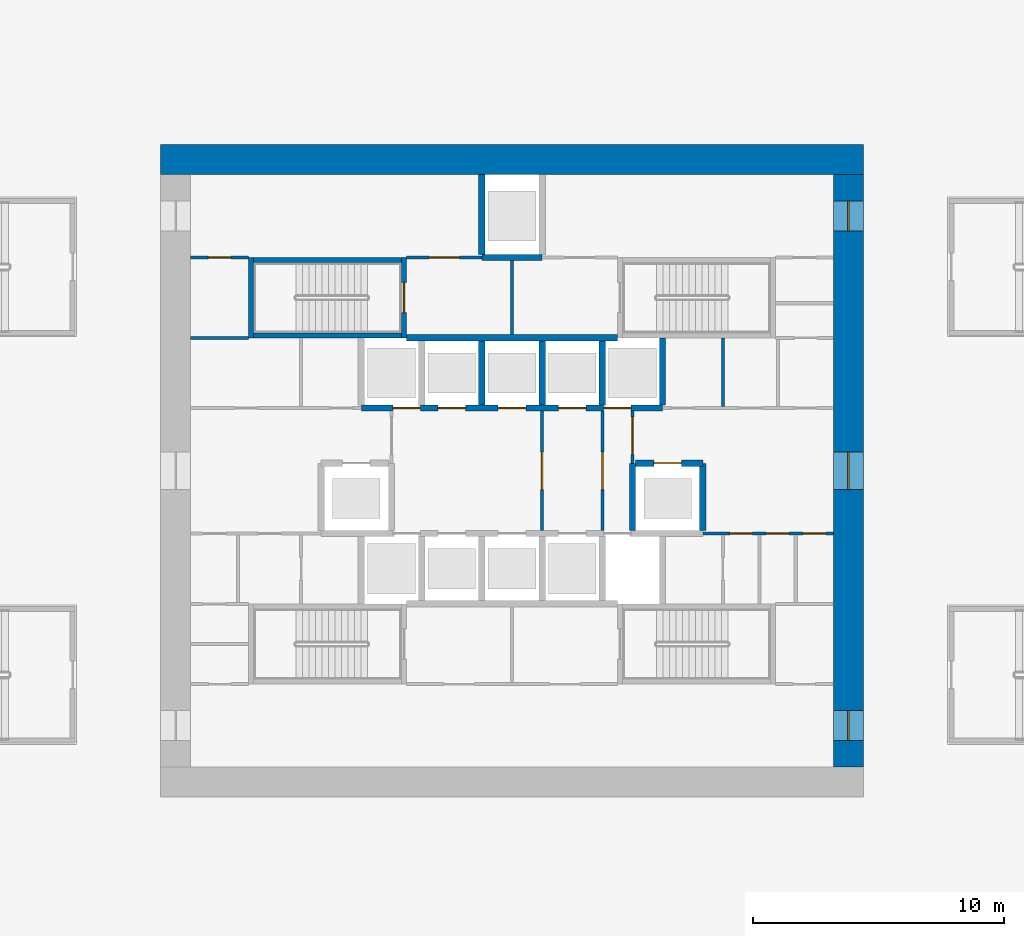
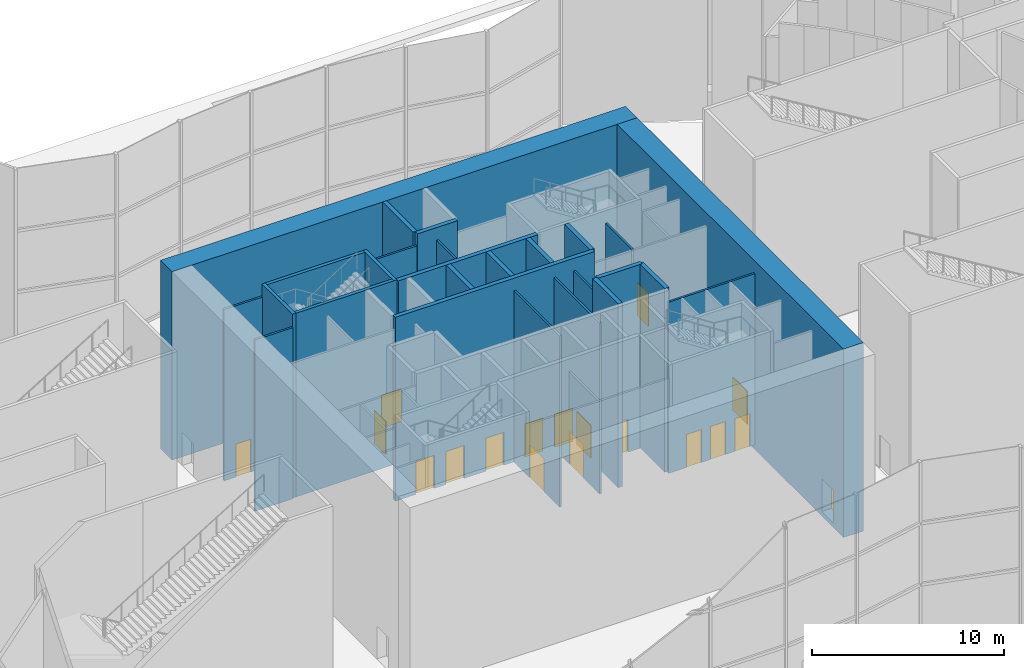
# One storey, part 11 of 25: 26 walls, 18 doors, 18 openings.
"""IFC4 building model written with IfcOpenShell, lengths in metres."""

from ifc_helpers import new_model, si_unit, direction, frame, frame_2d, origin, place, context, subcontext, project, spatial, rectangle, extrude, source, transform, mapped, material, layer, layer_set, type_object, element, fill, save


model = new_model("IFC4")

# Units and contexts
model_context = context("Model", 3, precision=1e-05, world=origin(), true_north=direction((0.0, 1.0)))
body_context = subcontext(model_context, "Body", "Model", "MODEL_VIEW")
ifc_project = project(units=[si_unit("LENGTHUNIT", "METRE"), si_unit("AREAUNIT", "SQUARE_METRE"), si_unit("VOLUMEUNIT", "CUBIC_METRE"), si_unit("PLANEANGLEUNIT", "RADIAN"), si_unit("MASSUNIT", "GRAM", prefix="KILO")], contexts=[model_context])

# Site, building, storey
site_placement = place(None, origin())
site = spatial("IfcSite", under=ifc_project, at=site_placement, CompositionType="ELEMENT")
building_placement = place(site_placement, origin())
building = spatial("IfcBuilding", under=site, at=building_placement, Name="Embergate Tower", CompositionType="ELEMENT")
storey_placement = place(building_placement, origin())
storey = spatial("IfcBuildingStorey", under=building, at=storey_placement, Name="L00", CompositionType="ELEMENT", Elevation=0.0)

# Wall
ifc_material_1 = material(Name="Concrete C80", Category="concrete")
ifc_layer_1 = layer(ifc_material_1, 1.199951171875)
ifc_layer_set_1 = layer_set([ifc_layer_1], Name="Concrete C80")
wall_type_1 = type_object("IfcWallType", Name="Core outer wall C80 1200", PredefinedType="SHEAR", material=ifc_layer_set_1)
shared_shape_1 = source(origin(), body_context, "Body", "SweptSolid", [
    extrude(rectangle(XDim=28.0, YDim=1.199951171875, at=frame_2d((14.0, 0.0))), origin(), (0.0, 0.0, 1.0), 12.0),
])
wall_1_placement = place(storey_placement, frame((-14.0, 12.39990234375, -0.300048828125), z_axis=(0.0, 0.0, 1.0), x_axis=(1.0, 0.0, 0.0)))
element("IfcWall", 1, at=wall_1_placement, inside=storey, type_object=wall_type_1, Name="CW-L00-N", PredefinedType="SHEAR", context=body_context, shape_type="MappedRepresentation", body=[
    mapped(shared_shape_1, transform((0.0, 0.0, 0.0))),
])

# Wall, openings, doors
shared_shape_2 = source(origin(), body_context, "Body", "SweptSolid", [
    extrude(rectangle(XDim=23.60009765625, YDim=1.199951171875, at=frame_2d((11.800048828125, 0.0))), origin(), (0.0, 0.0, 1.0), 12.0),
])
wall_2_placement = place(storey_placement, frame((13.39990234375, -11.800048828125, -0.300048828125), z_axis=(0.0, 0.0, 1.0), x_axis=(0.0, 1.0, 0.0)))
wall_2 = element("IfcWall", 2, at=wall_2_placement, inside=storey, type_object=wall_type_1, Name="CW-L00-E", PredefinedType="SHEAR", context=body_context, shape_type="MappedRepresentation", body=[
    mapped(shared_shape_2, transform((0.0, 0.0, 0.0))),
])
shared_shape_3 = source(origin(), body_context, "Body", "SweptSolid", [
    extrude(rectangle(XDim=1.199951171875, YDim=2.10009765625, at=frame_2d((0.60009765625, 1.050048828125))), frame((0.0, 0.60986328125, 0.0), z_axis=(0.0, -1.0, 0.0), x_axis=(1.0, 0.0, 0.0)), (0.0, 0.0, 1.0), 1.219970703125),
])
opening_1_placement = place(wall_2_placement, frame((21.35009765625, 0.0, 0.300048828125)))
opening_1 = element("IfcOpeningElement", 3, at=opening_1_placement, cuts=wall_2, Name="Opening IF-1", PredefinedType="OPENING", context=body_context, shape_type="MappedRepresentation", body=[
    mapped(shared_shape_3, transform((0.0, 0.0, 0.0))),
])
opening_2_placement = place(wall_2_placement, frame((1.050048828125, 0.0, 0.300048828125)))
opening_2 = element("IfcOpeningElement", 4, at=opening_2_placement, cuts=wall_2, Name="Opening IF-1", PredefinedType="OPENING", context=body_context, shape_type="MappedRepresentation", body=[
    mapped(shared_shape_3, transform((0.0, 0.0, 0.0))),
])
shared_shape_4 = source(origin(), body_context, "Body", "SweptSolid", [
    extrude(rectangle(XDim=1.5, YDim=2.10009765625, at=frame_2d((0.75, 1.050048828125))), frame((0.0, 0.60986328125, 0.0), z_axis=(0.0, -1.0, 0.0), x_axis=(1.0, 0.0, 0.0)), (0.0, 0.0, 1.0), 1.219970703125),
])
opening_3_placement = place(wall_2_placement, frame((11.050048828125, 0.0, 0.300048828125)))
opening_3 = element("IfcOpeningElement", 5, at=opening_3_placement, cuts=wall_2, Name="Opening IF-3", PredefinedType="OPENING", context=body_context, shape_type="MappedRepresentation", body=[
    mapped(shared_shape_4, transform((0.0, 0.0, 0.0))),
])
ifc_material_2 = material(Name="Escape fire door 1200")
door_type_1 = type_object("IfcDoorType", Name="Escape fire door 1200", OperationType="SINGLE_SWING_LEFT", PredefinedType="DOOR", material=ifc_material_2)
shared_shape_5 = source(origin(), body_context, "Body", "SweptSolid", [
    extrude(rectangle(XDim=1.199951171875, YDim=2.10009765625, at=frame_2d((0.60009765625, 1.050048828125))), frame((0.0, 0.02490234375, 0.0), z_axis=(0.0, -1.0, 0.0), x_axis=(1.0, 0.0, 0.0)), (0.0, 0.0, 1.0), 0.050048828125),
])
door_1_placement = place(opening_1_placement, origin())
door_1 = element("IfcDoor", 6, at=door_1_placement, inside=storey, type_object=door_type_1, Name="IF-1 door", OperationType="SINGLE_SWING_RIGHT", OverallHeight=2.10009765625, OverallWidth=1.199951171875, PredefinedType="DOOR", context=body_context, shape_type="MappedRepresentation", body=[
    mapped(shared_shape_5, transform((0.0, 0.0, 0.0))),
])
fill(opening_1, door_1)
door_2_placement = place(opening_2_placement, origin())
door_2 = element("IfcDoor", 7, at=door_2_placement, inside=storey, type_object=door_type_1, Name="IF-1 door", OperationType="SINGLE_SWING_RIGHT", OverallHeight=2.10009765625, OverallWidth=1.199951171875, PredefinedType="DOOR", context=body_context, shape_type="MappedRepresentation", body=[
    mapped(shared_shape_5, transform((0.0, 0.0, 0.0))),
])
fill(opening_2, door_2)
ifc_material_3 = material(Name="Lobby fire door pair 1500")
door_type_2 = type_object("IfcDoorType", Name="Lobby fire door pair 1500", OperationType="DOUBLE_DOOR_SINGLE_SWING", PredefinedType="DOOR", material=ifc_material_3)
shared_shape_6 = source(origin(), body_context, "Body", "SweptSolid", [
    extrude(rectangle(XDim=1.5, YDim=2.10009765625, at=frame_2d((0.75, 1.050048828125))), frame((0.0, 0.02490234375, 0.0), z_axis=(0.0, -1.0, 0.0), x_axis=(1.0, 0.0, 0.0)), (0.0, 0.0, 1.0), 0.050048828125),
])
door_3_placement = place(opening_3_placement, origin())
door_3 = element("IfcDoor", 8, at=door_3_placement, inside=storey, type_object=door_type_2, Name="IF-3 door", OperationType="DOUBLE_DOOR_SINGLE_SWING", OverallHeight=2.10009765625, OverallWidth=1.5, PredefinedType="DOOR", context=body_context, shape_type="MappedRepresentation", body=[
    mapped(shared_shape_6, transform((0.0, 0.0, 0.0))),
])
fill(opening_3, door_3)

# Walls
ifc_material_4 = material(Name="Concrete C50", Category="concrete")
ifc_layer_2 = layer(ifc_material_4, 0.25)
ifc_layer_set_2 = layer_set([ifc_layer_2], Name="Concrete C50")
wall_type_2 = type_object("IfcWallType", Name="Hoistway wall reinforced concrete 250", PredefinedType="SHEAR", material=ifc_layer_set_2)
shared_shape_7 = source(origin(), body_context, "Body", "SweptSolid", [
    extrude(rectangle(XDim=2.675048828125, YDim=0.25, at=frame_2d((1.33740234375, 0.0))), origin(), (0.0, 0.0, 1.0), 11.699951171875),
])
for number, where, z_axis, x_axis, name in (
    (9, (6.0, 2.625, 0.0), (0.0, 0.0, 1.0), (0.0, 1.0, 0.0), "HW-1 wall"),
    (10, (4.800048828125, -2.375, 0.0), (0.0, 0.0, 1.0), (0.0, 1.0, 0.0), "HW-1 wall"),
):
    element("IfcWall", number, at=place(storey_placement, frame(where, z_axis=z_axis, x_axis=x_axis)), inside=storey, type_object=wall_type_2, Name=name, PredefinedType="SHEAR", context=body_context, shape_type="MappedRepresentation", body=[
        mapped(shared_shape_7, transform((0.0, 0.0, 0.0))),
    ])

# Wall, opening, door
wall_3_placement = place(storey_placement, frame((7.60009765625, 0.300048828125, 0.0), z_axis=(0.0, 0.0, 1.0), x_axis=(-1.0, 0.0, 0.0)))
wall_3 = element("IfcWall", 11, at=wall_3_placement, inside=storey, type_object=wall_type_2, Name="HW-1 wall", PredefinedType="SHEAR", context=body_context, shape_type="MappedRepresentation", body=[
    mapped(shared_shape_7, transform((0.0, 0.0, 0.0))),
])
shared_shape_8 = source(origin(), body_context, "Body", "SweptSolid", [
    extrude(rectangle(XDim=1.10009765625, YDim=2.10009765625, at=frame_2d((0.550048828125, 1.050048828125))), frame((0.0, 0.135009765625, 0.0), z_axis=(0.0, -1.0, 0.0), x_axis=(1.0, 0.0, 0.0)), (0.0, 0.0, 1.0), 0.27001953125),
])
opening_4_placement = place(wall_3_placement, frame((0.85009765625, 0.0, 0.0)))
opening_4 = element("IfcOpeningElement", 12, at=opening_4_placement, cuts=wall_3, Name="Opening LD", PredefinedType="OPENING", context=body_context, shape_type="MappedRepresentation", body=[
    mapped(shared_shape_8, transform((0.0, 0.0, 0.0))),
])
ifc_material_5 = material(Name="Landing door sliding 1100")
door_type_3 = type_object("IfcDoorType", Name="Landing door sliding 1100", OperationType="SLIDING_TO_LEFT", PredefinedType="DOOR", material=ifc_material_5)
shared_shape_9 = source(origin(), body_context, "Body", "SweptSolid", [
    extrude(rectangle(XDim=1.10009765625, YDim=2.10009765625, at=frame_2d((0.550048828125, 1.050048828125))), frame((0.0, 0.02490234375, 0.0), z_axis=(0.0, -1.0, 0.0), x_axis=(1.0, 0.0, 0.0)), (0.0, 0.0, 1.0), 0.050048828125),
])
door_4_placement = place(opening_4_placement, origin())
door_4 = element("IfcDoor", 13, at=door_4_placement, inside=storey, type_object=door_type_3, Name="LD door", OperationType="SLIDING_TO_LEFT", OverallHeight=2.10009765625, OverallWidth=1.10009765625, PredefinedType="DOOR", context=body_context, shape_type="MappedRepresentation", body=[
    mapped(shared_shape_9, transform((0.0, 0.0, 0.0))),
])
fill(opening_4, door_4)

# Walls
wall_4_placement = place(storey_placement, frame((7.60009765625, -2.375, 0.0), z_axis=(0.0, 0.0, 1.0), x_axis=(0.0, 1.0, 0.0)))
element("IfcWall", 14, at=wall_4_placement, inside=storey, type_object=wall_type_2, Name="HW-1 wall", PredefinedType="SHEAR", context=body_context, shape_type="MappedRepresentation", body=[
    mapped(shared_shape_7, transform((0.0, 0.0, 0.0))),
])
ifc_layer_3 = layer(ifc_material_4, 0.199951171875)
ifc_layer_set_3 = layer_set([ifc_layer_3], Name="Concrete C50")
wall_type_3 = type_object("IfcWallType", Name="Stair enclosure wall reinforced concrete 250", PredefinedType="SHEAR", material=ifc_layer_set_3)
shared_shape_10 = source(origin(), body_context, "Body", "SweptSolid", [
    extrude(rectangle(XDim=6.300048828125, YDim=0.199951171875, at=frame_2d((3.14990234375, 0.0))), origin(), (0.0, 0.0, 1.0), 11.699951171875),
])
for number, where, z_axis, x_axis, name in (
    (15, (-4.199951171875, 5.39990234375, 0.0), (0.0, 0.0, 1.0), (-1.0, 0.0, 0.0), "SE-1 wall"),
    (16, (-4.199951171875, 8.39990234375, 0.0), (0.0, 0.0, 1.0), (-1.0, 0.0, 0.0), "SE-1 wall"),
):
    element("IfcWall", number, at=place(storey_placement, frame(where, z_axis=z_axis, x_axis=x_axis)), inside=storey, type_object=wall_type_3, Name=name, PredefinedType="SHEAR", context=body_context, shape_type="MappedRepresentation", body=[
        mapped(shared_shape_10, transform((0.0, 0.0, 0.0))),
    ])
ifc_material_6 = material(Name="Core partition blockwork 120")
ifc_layer_4 = layer(ifc_material_6, 0.1201171875)
ifc_layer_set_4 = layer_set([ifc_layer_4], Name="Core partition blockwork 120")
wall_type_4 = type_object("IfcWallType", Name="Core partition blockwork 120", PredefinedType="PARTITIONING", material=ifc_layer_set_4)
shared_shape_11 = source(origin(), body_context, "Body", "SweptSolid", [
    extrude(rectangle(XDim=2.739990234375, YDim=0.1201171875, at=frame_2d((1.3701171875, 0.0))), origin(), (0.0, 0.0, 1.0), 10.89990234375),
])
wall_5_placement = place(storey_placement, frame((8.39990234375, 2.56005859375, 0.0), z_axis=(0.0, 0.0, 1.0), x_axis=(0.0, 1.0, 0.0)))
element("IfcWall", 17, at=wall_5_placement, inside=storey, type_object=wall_type_4, Name="IP-3 wall", PredefinedType="PARTITIONING", context=body_context, shape_type="MappedRepresentation", body=[
    mapped(shared_shape_11, transform((0.0, 0.0, 0.0))),
])
shared_shape_12 = source(origin(), body_context, "Body", "SweptSolid", [
    extrude(rectangle(XDim=2.550048828125, YDim=0.25, at=frame_2d((1.27490234375, 0.0))), origin(), (0.0, 0.0, 1.0), 11.699951171875),
])
for number, where, z_axis, x_axis, name in (
    (18, (-1.199951171875, 2.625, 0.0), (0.0, 0.0, 1.0), (0.0, 1.0, 0.0), "HW-1 wall"),
    (19, (1.199951171875, 2.625, 0.0), (0.0, 0.0, 1.0), (0.0, 1.0, 0.0), "HW-1 wall"),
    (20, (3.60009765625, 2.625, 0.0), (0.0, 0.0, 1.0), (0.0, 1.0, 0.0), "HW-1 wall"),
):
    element("IfcWall", number, at=place(storey_placement, frame(where, z_axis=z_axis, x_axis=x_axis)), inside=storey, type_object=wall_type_2, Name=name, PredefinedType="SHEAR", context=body_context, shape_type="MappedRepresentation", body=[
        mapped(shared_shape_12, transform((0.0, 0.0, 0.0))),
    ])

# Wall, openings, doors
shared_shape_13 = source(origin(), body_context, "Body", "SweptSolid", [
    extrude(rectangle(XDim=12.0, YDim=0.25, at=frame_2d((6.0, 0.0))), origin(), (0.0, 0.0, 1.0), 11.699951171875),
])
wall_6_placement = place(storey_placement, frame((-6.0, 2.5, 0.0), z_axis=(0.0, 0.0, 1.0), x_axis=(1.0, 0.0, 0.0)))
wall_6 = element("IfcWall", 21, at=wall_6_placement, inside=storey, type_object=wall_type_2, Name="HW-1 wall", PredefinedType="SHEAR", context=body_context, shape_type="MappedRepresentation", body=[
    mapped(shared_shape_13, transform((0.0, 0.0, 0.0))),
])
opening_5_placement = place(wall_6_placement, frame((1.25, 0.0, 0.0)))
opening_5 = element("IfcOpeningElement", 22, at=opening_5_placement, cuts=wall_6, Name="Opening LD", PredefinedType="OPENING", context=body_context, shape_type="MappedRepresentation", body=[
    mapped(shared_shape_8, transform((0.0, 0.0, 0.0))),
])
opening_6_placement = place(wall_6_placement, frame((3.050048828125, 0.0, 0.0)))
opening_6 = element("IfcOpeningElement", 23, at=opening_6_placement, cuts=wall_6, Name="Opening LD", PredefinedType="OPENING", context=body_context, shape_type="MappedRepresentation", body=[
    mapped(shared_shape_8, transform((0.0, 0.0, 0.0))),
])
opening_7_placement = place(wall_6_placement, frame((5.449951171875, 0.0, 0.0)))
opening_7 = element("IfcOpeningElement", 24, at=opening_7_placement, cuts=wall_6, Name="Opening LD", PredefinedType="OPENING", context=body_context, shape_type="MappedRepresentation", body=[
    mapped(shared_shape_8, transform((0.0, 0.0, 0.0))),
])
opening_8_placement = place(wall_6_placement, frame((7.85009765625, 0.0, 0.0)))
opening_8 = element("IfcOpeningElement", 25, at=opening_8_placement, cuts=wall_6, Name="Opening LD", PredefinedType="OPENING", context=body_context, shape_type="MappedRepresentation", body=[
    mapped(shared_shape_8, transform((0.0, 0.0, 0.0))),
])
opening_9_placement = place(wall_6_placement, frame((9.64990234375, 0.0, 0.0)))
opening_9 = element("IfcOpeningElement", 26, at=opening_9_placement, cuts=wall_6, Name="Opening LD", PredefinedType="OPENING", context=body_context, shape_type="MappedRepresentation", body=[
    mapped(shared_shape_8, transform((0.0, 0.0, 0.0))),
])
door_5_placement = place(opening_5_placement, origin())
door_5 = element("IfcDoor", 27, at=door_5_placement, inside=storey, type_object=door_type_3, Name="LD door", OperationType="SLIDING_TO_RIGHT", OverallHeight=2.10009765625, OverallWidth=1.10009765625, PredefinedType="DOOR", context=body_context, shape_type="MappedRepresentation", body=[
    mapped(shared_shape_9, transform((0.0, 0.0, 0.0))),
])
fill(opening_5, door_5)
door_6_placement = place(opening_6_placement, origin())
door_6 = element("IfcDoor", 28, at=door_6_placement, inside=storey, type_object=door_type_3, Name="LD door", OperationType="SLIDING_TO_RIGHT", OverallHeight=2.10009765625, OverallWidth=1.10009765625, PredefinedType="DOOR", context=body_context, shape_type="MappedRepresentation", body=[
    mapped(shared_shape_9, transform((0.0, 0.0, 0.0))),
])
fill(opening_6, door_6)
door_7_placement = place(opening_7_placement, origin())
door_7 = element("IfcDoor", 29, at=door_7_placement, inside=storey, type_object=door_type_3, Name="LD door", OperationType="SLIDING_TO_RIGHT", OverallHeight=2.10009765625, OverallWidth=1.10009765625, PredefinedType="DOOR", context=body_context, shape_type="MappedRepresentation", body=[
    mapped(shared_shape_9, transform((0.0, 0.0, 0.0))),
])
fill(opening_7, door_7)
door_8_placement = place(opening_8_placement, origin())
door_8 = element("IfcDoor", 30, at=door_8_placement, inside=storey, type_object=door_type_3, Name="LD door", OperationType="SLIDING_TO_RIGHT", OverallHeight=2.10009765625, OverallWidth=1.10009765625, PredefinedType="DOOR", context=body_context, shape_type="MappedRepresentation", body=[
    mapped(shared_shape_9, transform((0.0, 0.0, 0.0))),
])
fill(opening_8, door_8)
door_9_placement = place(opening_9_placement, origin())
door_9 = element("IfcDoor", 31, at=door_9_placement, inside=storey, type_object=door_type_3, Name="LD door", OperationType="SLIDING_TO_LEFT", OverallHeight=2.10009765625, OverallWidth=1.10009765625, PredefinedType="DOOR", context=body_context, shape_type="MappedRepresentation", body=[
    mapped(shared_shape_9, transform((0.0, 0.0, 0.0))),
])
fill(opening_9, door_9)

# Wall
shared_shape_14 = source(origin(), body_context, "Body", "SweptSolid", [
    extrude(rectangle(XDim=8.39990234375, YDim=0.25, at=frame_2d((4.199951171875, 0.0))), origin(), (0.0, 0.0, 1.0), 11.699951171875),
])
wall_7_placement = place(storey_placement, frame((4.199951171875, 5.300048828125, 0.0), z_axis=(0.0, 0.0, 1.0), x_axis=(-1.0, 0.0, 0.0)))
element("IfcWall", 32, at=wall_7_placement, inside=storey, type_object=wall_type_2, Name="HW-1 wall", PredefinedType="SHEAR", context=body_context, shape_type="MappedRepresentation", body=[
    mapped(shared_shape_14, transform((0.0, 0.0, 0.0))),
])

# Wall, openings, doors
shared_shape_15 = source(origin(), body_context, "Body", "SweptSolid", [
    extrude(rectangle(XDim=5.199951171875, YDim=0.1201171875, at=frame_2d((2.60009765625, 0.0))), origin(), (0.0, 0.0, 1.0), 10.89990234375),
])
wall_8_placement = place(storey_placement, frame((12.800048828125, -2.5, 0.0), z_axis=(0.0, 0.0, 1.0), x_axis=(-1.0, 0.0, 0.0)))
wall_8 = element("IfcWall", 33, at=wall_8_placement, inside=storey, type_object=wall_type_4, Name="IP-3 wall", PredefinedType="PARTITIONING", context=body_context, shape_type="MappedRepresentation", body=[
    mapped(shared_shape_15, transform((0.0, 0.0, 0.0))),
])
shared_shape_16 = source(origin(), body_context, "Body", "SweptSolid", [
    extrude(rectangle(XDim=0.89990234375, YDim=2.10009765625, at=frame_2d((0.449951171875, 1.050048828125))), frame((0.0, 0.070068359375, 0.0), z_axis=(0.0, -1.0, 0.0), x_axis=(1.0, 0.0, 0.0)), (0.0, 0.0, 1.0), 0.14013671875),
])
opening_10_placement = place(wall_8_placement, frame((3.22412109375, 0.0, 0.0)))
opening_10 = element("IfcOpeningElement", 34, at=opening_10_placement, cuts=wall_8, Name="Opening ID-1", PredefinedType="OPENING", context=body_context, shape_type="MappedRepresentation", body=[
    mapped(shared_shape_16, transform((0.0, 0.0, 0.0))),
])
opening_11_placement = place(wall_8_placement, frame((1.77197265625, 0.0, 0.0)))
opening_11 = element("IfcOpeningElement", 35, at=opening_11_placement, cuts=wall_8, Name="Opening ID-1", PredefinedType="OPENING", context=body_context, shape_type="MappedRepresentation", body=[
    mapped(shared_shape_16, transform((0.0, 0.0, 0.0))),
])
opening_12_placement = place(wall_8_placement, frame((0.298095703125, 0.0, 0.0)))
opening_12 = element("IfcOpeningElement", 36, at=opening_12_placement, cuts=wall_8, Name="Opening ID-1", PredefinedType="OPENING", context=body_context, shape_type="MappedRepresentation", body=[
    mapped(shared_shape_16, transform((0.0, 0.0, 0.0))),
])
ifc_material_7 = material(Name="Interior door 900")
door_type_4 = type_object("IfcDoorType", Name="Interior door 900", OperationType="SINGLE_SWING_LEFT", PredefinedType="DOOR", material=ifc_material_7)
shared_shape_17 = source(origin(), body_context, "Body", "SweptSolid", [
    extrude(rectangle(XDim=0.89990234375, YDim=2.10009765625, at=frame_2d((0.449951171875, 1.050048828125))), frame((0.0, 0.02490234375, 0.0), z_axis=(0.0, -1.0, 0.0), x_axis=(1.0, 0.0, 0.0)), (0.0, 0.0, 1.0), 0.050048828125),
])
door_10_placement = place(opening_10_placement, origin())
door_10 = element("IfcDoor", 37, at=door_10_placement, inside=storey, type_object=door_type_4, Name="ID-1 door", OperationType="SINGLE_SWING_RIGHT", OverallHeight=2.10009765625, OverallWidth=0.89990234375, PredefinedType="DOOR", context=body_context, shape_type="MappedRepresentation", body=[
    mapped(shared_shape_17, transform((0.0, 0.0, 0.0))),
])
fill(opening_10, door_10)
door_11_placement = place(opening_11_placement, origin())
door_11 = element("IfcDoor", 38, at=door_11_placement, inside=storey, type_object=door_type_4, Name="ID-1 door", OperationType="SINGLE_SWING_LEFT", OverallHeight=2.10009765625, OverallWidth=0.89990234375, PredefinedType="DOOR", context=body_context, shape_type="MappedRepresentation", body=[
    mapped(shared_shape_17, transform((0.0, 0.0, 0.0))),
])
fill(opening_11, door_11)
door_12_placement = place(opening_12_placement, origin())
door_12 = element("IfcDoor", 39, at=door_12_placement, inside=storey, type_object=door_type_4, Name="ID-1 door", OperationType="SINGLE_SWING_LEFT", OverallHeight=2.10009765625, OverallWidth=0.89990234375, PredefinedType="DOOR", context=body_context, shape_type="MappedRepresentation", body=[
    mapped(shared_shape_17, transform((0.0, 0.0, 0.0))),
])
fill(opening_12, door_12)

# Wall, opening, door
shared_shape_18 = source(origin(), body_context, "Body", "SweptSolid", [
    extrude(rectangle(XDim=4.75, YDim=0.1201171875, at=frame_2d((2.375, 0.0))), origin(), (0.0, 0.0, 1.0), 10.89990234375),
])
wall_9_placement = place(storey_placement, frame((1.199951171875, -2.375, 0.0), z_axis=(0.0, 0.0, 1.0), x_axis=(0.0, 1.0, 0.0)))
wall_9 = element("IfcWall", 40, at=wall_9_placement, inside=storey, type_object=wall_type_4, Name="IP-3 wall", PredefinedType="PARTITIONING", context=body_context, shape_type="MappedRepresentation", body=[
    mapped(shared_shape_18, transform((0.0, 0.0, 0.0))),
])
shared_shape_19 = source(origin(), body_context, "Body", "SweptSolid", [
    extrude(rectangle(XDim=1.5, YDim=2.10009765625, at=frame_2d((0.75, 1.050048828125))), frame((0.0, 0.070068359375, 0.0), z_axis=(0.0, -1.0, 0.0), x_axis=(1.0, 0.0, 0.0)), (0.0, 0.0, 1.0), 0.14013671875),
])
opening_13_placement = place(wall_9_placement, frame((1.625, 0.0, 0.0)))
opening_13 = element("IfcOpeningElement", 41, at=opening_13_placement, cuts=wall_9, Name="Opening IF-3", PredefinedType="OPENING", context=body_context, shape_type="MappedRepresentation", body=[
    mapped(shared_shape_19, transform((0.0, 0.0, 0.0))),
])
door_13_placement = place(opening_13_placement, origin())
door_13 = element("IfcDoor", 42, at=door_13_placement, inside=storey, type_object=door_type_2, Name="IF-3 door", OperationType="DOUBLE_DOOR_SINGLE_SWING", OverallHeight=2.10009765625, OverallWidth=1.5, PredefinedType="DOOR", context=body_context, shape_type="MappedRepresentation", body=[
    mapped(shared_shape_6, transform((0.0, 0.0, 0.0))),
])
fill(opening_13, door_13)

wall_10_placement = place(storey_placement, frame((3.60009765625, -2.375, 0.0), z_axis=(0.0, 0.0, 1.0), x_axis=(0.0, 1.0, 0.0)))
wall_10 = element("IfcWall", 43, at=wall_10_placement, inside=storey, type_object=wall_type_4, Name="IP-3 wall", PredefinedType="PARTITIONING", context=body_context, shape_type="MappedRepresentation", body=[
    mapped(shared_shape_18, transform((0.0, 0.0, 0.0))),
])
opening_14_placement = place(wall_10_placement, frame((1.625, 0.0, 0.0)))
opening_14 = element("IfcOpeningElement", 44, at=opening_14_placement, cuts=wall_10, Name="Opening IF-3", PredefinedType="OPENING", context=body_context, shape_type="MappedRepresentation", body=[
    mapped(shared_shape_19, transform((0.0, 0.0, 0.0))),
])
door_14_placement = place(opening_14_placement, origin())
door_14 = element("IfcDoor", 45, at=door_14_placement, inside=storey, type_object=door_type_2, Name="IF-3 door", OperationType="DOUBLE_DOOR_SINGLE_SWING", OverallHeight=2.10009765625, OverallWidth=1.5, PredefinedType="DOOR", context=body_context, shape_type="MappedRepresentation", body=[
    mapped(shared_shape_6, transform((0.0, 0.0, 0.0))),
])
fill(opening_14, door_14)

shared_shape_20 = source(origin(), body_context, "Body", "SweptSolid", [
    extrude(rectangle(XDim=2.074951171875, YDim=0.1201171875, at=frame_2d((1.03759765625, 0.0))), origin(), (0.0, 0.0, 1.0), 10.89990234375),
])
wall_11_placement = place(storey_placement, frame((4.800048828125, 0.300048828125, 0.0), z_axis=(0.0, 0.0, 1.0), x_axis=(0.0, 1.0, 0.0)))
wall_11 = element("IfcWall", 46, at=wall_11_placement, inside=storey, type_object=wall_type_4, Name="IP-3 wall", PredefinedType="PARTITIONING", context=body_context, shape_type="MappedRepresentation", body=[
    mapped(shared_shape_20, transform((0.0, 0.0, 0.0))),
])
opening_15_placement = place(wall_11_placement, frame((0.35009765625, 0.0, 0.0)))
opening_15 = element("IfcOpeningElement", 47, at=opening_15_placement, cuts=wall_11, Name="Opening IF-3", PredefinedType="OPENING", context=body_context, shape_type="MappedRepresentation", body=[
    mapped(shared_shape_19, transform((0.0, 0.0, 0.0))),
])
door_15_placement = place(opening_15_placement, origin())
door_15 = element("IfcDoor", 48, at=door_15_placement, inside=storey, type_object=door_type_2, Name="IF-3 door", OperationType="DOUBLE_DOOR_SINGLE_SWING", OverallHeight=2.10009765625, OverallWidth=1.5, PredefinedType="DOOR", context=body_context, shape_type="MappedRepresentation", body=[
    mapped(shared_shape_6, transform((0.0, 0.0, 0.0))),
])
fill(opening_15, door_15)

shared_shape_21 = source(origin(), body_context, "Body", "SweptSolid", [
    extrude(rectangle(XDim=3.199951171875, YDim=0.199951171875, at=frame_2d((1.60009765625, 0.0))), origin(), (0.0, 0.0, 1.0), 11.699951171875),
])
wall_12_placement = place(storey_placement, frame((-4.300048828125, 5.300048828125, 0.0), z_axis=(0.0, 0.0, 1.0), x_axis=(0.0, 1.0, 0.0)))
wall_12 = element("IfcWall", 49, at=wall_12_placement, inside=storey, type_object=wall_type_3, Name="SE-1 wall", PredefinedType="SHEAR", context=body_context, shape_type="MappedRepresentation", body=[
    mapped(shared_shape_21, transform((0.0, 0.0, 0.0))),
])
shared_shape_22 = source(origin(), body_context, "Body", "SweptSolid", [
    extrude(rectangle(XDim=1.199951171875, YDim=2.10009765625, at=frame_2d((0.60009765625, 1.050048828125))), frame((0.0, 0.10986328125, 0.0), z_axis=(0.0, -1.0, 0.0), x_axis=(1.0, 0.0, 0.0)), (0.0, 0.0, 1.0), 0.219970703125),
])
opening_16_placement = place(wall_12_placement, frame((1.0, 0.0, 0.0)))
opening_16 = element("IfcOpeningElement", 50, at=opening_16_placement, cuts=wall_12, Name="Opening IF-2", PredefinedType="OPENING", context=body_context, shape_type="MappedRepresentation", body=[
    mapped(shared_shape_22, transform((0.0, 0.0, 0.0))),
])
ifc_material_8 = material(Name="Stair enclosure door 1200")
door_type_5 = type_object("IfcDoorType", Name="Stair enclosure door 1200", OperationType="SINGLE_SWING_LEFT", PredefinedType="DOOR", material=ifc_material_8)
door_16_placement = place(opening_16_placement, origin())
door_16 = element("IfcDoor", 51, at=door_16_placement, inside=storey, type_object=door_type_5, Name="IF-2 door", OperationType="SINGLE_SWING_LEFT", OverallHeight=2.10009765625, OverallWidth=1.199951171875, PredefinedType="DOOR", context=body_context, shape_type="MappedRepresentation", body=[
    mapped(shared_shape_5, transform((0.0, 0.0, 0.0))),
])
fill(opening_16, door_16)

# Walls
wall_13_placement = place(storey_placement, frame((-10.39990234375, 8.5, 0.0), z_axis=(0.0, 0.0, 1.0), x_axis=(0.0, -1.0, 0.0)))
element("IfcWall", 52, at=wall_13_placement, inside=storey, type_object=wall_type_3, Name="SE-1 wall", PredefinedType="SHEAR", context=body_context, shape_type="MappedRepresentation", body=[
    mapped(shared_shape_21, transform((0.0, 0.0, 0.0))),
])
shared_shape_23 = source(origin(), body_context, "Body", "SweptSolid", [
    extrude(rectangle(XDim=2.949951171875, YDim=0.1201171875, at=frame_2d((1.47509765625, 0.0))), origin(), (0.0, 0.0, 1.0), 10.89990234375),
])
wall_14_placement = place(storey_placement, frame((0.0, 5.425048828125, 0.0), z_axis=(0.0, 0.0, 1.0), x_axis=(0.0, 1.0, 0.0)))
element("IfcWall", 53, at=wall_14_placement, inside=storey, type_object=wall_type_4, Name="IP-3 wall", PredefinedType="PARTITIONING", context=body_context, shape_type="MappedRepresentation", body=[
    mapped(shared_shape_23, transform((0.0, 0.0, 0.0))),
])

# Wall, opening, door
shared_shape_24 = source(origin(), body_context, "Body", "SweptSolid", [
    extrude(rectangle(XDim=3.0, YDim=0.1201171875, at=frame_2d((1.5, 0.0))), origin(), (0.0, 0.0, 1.0), 10.89990234375),
])
wall_15_placement = place(storey_placement, frame((-1.199951171875, 8.5, 0.0), z_axis=(0.0, 0.0, 1.0), x_axis=(-1.0, 0.0, 0.0)))
wall_15 = element("IfcWall", 54, at=wall_15_placement, inside=storey, type_object=wall_type_4, Name="IP-3 wall", PredefinedType="PARTITIONING", context=body_context, shape_type="MappedRepresentation", body=[
    mapped(shared_shape_24, transform((0.0, 0.0, 0.0))),
])
shared_shape_25 = source(origin(), body_context, "Body", "SweptSolid", [
    extrude(rectangle(XDim=1.199951171875, YDim=2.10009765625, at=frame_2d((0.60009765625, 1.050048828125))), frame((0.0, 0.070068359375, 0.0), z_axis=(0.0, -1.0, 0.0), x_axis=(1.0, 0.0, 0.0)), (0.0, 0.0, 1.0), 0.14013671875),
])
opening_17_placement = place(wall_15_placement, frame((0.89990234375, 0.0, 0.0)))
opening_17 = element("IfcOpeningElement", 55, at=opening_17_placement, cuts=wall_15, Name="Opening IF-3f", PredefinedType="OPENING", context=body_context, shape_type="MappedRepresentation", body=[
    mapped(shared_shape_25, transform((0.0, 0.0, 0.0))),
])
ifc_material_9 = material(Name="Lobby fire door pair 1200")
door_type_6 = type_object("IfcDoorType", Name="Lobby fire door pair 1200", OperationType="DOUBLE_DOOR_SINGLE_SWING", PredefinedType="DOOR", material=ifc_material_9)
door_17_placement = place(opening_17_placement, origin())
door_17 = element("IfcDoor", 56, at=door_17_placement, inside=storey, type_object=door_type_6, Name="IF-3 door", OperationType="DOUBLE_DOOR_SINGLE_SWING", OverallHeight=2.10009765625, OverallWidth=1.199951171875, PredefinedType="DOOR", context=body_context, shape_type="MappedRepresentation", body=[
    mapped(shared_shape_5, transform((0.0, 0.0, 0.0))),
])
fill(opening_17, door_17)

# Walls
shared_shape_26 = source(origin(), body_context, "Body", "SweptSolid", [
    extrude(rectangle(XDim=2.39990234375, YDim=0.25, at=frame_2d((1.199951171875, 0.0))), origin(), (0.0, 0.0, 1.0), 11.699951171875),
])
wall_16_placement = place(storey_placement, frame((1.199951171875, 8.5, 0.0), z_axis=(0.0, 0.0, 1.0), x_axis=(-1.0, 0.0, 0.0)))
element("IfcWall", 57, at=wall_16_placement, inside=storey, type_object=wall_type_2, Name="HW-1 wall", PredefinedType="SHEAR", context=body_context, shape_type="MappedRepresentation", body=[
    mapped(shared_shape_26, transform((0.0, 0.0, 0.0))),
])
shared_shape_27 = source(origin(), body_context, "Body", "SweptSolid", [
    extrude(rectangle(XDim=3.175048828125, YDim=0.25, at=frame_2d((1.58740234375, 0.0))), origin(), (0.0, 0.0, 1.0), 11.699951171875),
])
wall_17_placement = place(storey_placement, frame((-1.199951171875, 8.625, 0.0), z_axis=(0.0, 0.0, 1.0), x_axis=(0.0, 1.0, 0.0)))
element("IfcWall", 58, at=wall_17_placement, inside=storey, type_object=wall_type_2, Name="HW-1 wall", PredefinedType="SHEAR", context=body_context, shape_type="MappedRepresentation", body=[
    mapped(shared_shape_27, transform((0.0, 0.0, 0.0))),
])

# Wall, opening, door
shared_shape_28 = source(origin(), body_context, "Body", "SweptSolid", [
    extrude(rectangle(XDim=2.300048828125, YDim=0.1201171875, at=frame_2d((1.14990234375, 0.0))), origin(), (0.0, 0.0, 1.0), 10.89990234375),
])
wall_18_placement = place(storey_placement, frame((-12.800048828125, 8.5, 0.0), z_axis=(0.0, 0.0, 1.0), x_axis=(1.0, 0.0, 0.0)))
wall_18 = element("IfcWall", 59, at=wall_18_placement, inside=storey, type_object=wall_type_4, Name="IP-3 wall", PredefinedType="PARTITIONING", context=body_context, shape_type="MappedRepresentation", body=[
    mapped(shared_shape_28, transform((0.0, 0.0, 0.0))),
])
opening_18_placement = place(wall_18_placement, frame((0.699951171875, 0.0, 0.0)))
opening_18 = element("IfcOpeningElement", 60, at=opening_18_placement, cuts=wall_18, Name="Opening ID-1", PredefinedType="OPENING", context=body_context, shape_type="MappedRepresentation", body=[
    mapped(shared_shape_16, transform((0.0, 0.0, 0.0))),
])
door_18_placement = place(opening_18_placement, origin())
door_18 = element("IfcDoor", 61, at=door_18_placement, inside=storey, type_object=door_type_4, Name="ID-1 door", OperationType="SINGLE_SWING_RIGHT", OverallHeight=2.10009765625, OverallWidth=0.89990234375, PredefinedType="DOOR", context=body_context, shape_type="MappedRepresentation", body=[
    mapped(shared_shape_17, transform((0.0, 0.0, 0.0))),
])
fill(opening_18, door_18)

# Wall
wall_19_placement = place(storey_placement, frame((-10.5, 5.300048828125, 0.0), z_axis=(0.0, 0.0, 1.0), x_axis=(-1.0, 0.0, 0.0)))
element("IfcWall", 62, at=wall_19_placement, inside=storey, type_object=wall_type_4, Name="IP-3 wall", PredefinedType="PARTITIONING", context=body_context, shape_type="MappedRepresentation", body=[
    mapped(shared_shape_28, transform((0.0, 0.0, 0.0))),
])

save(model, "model.ifc")
